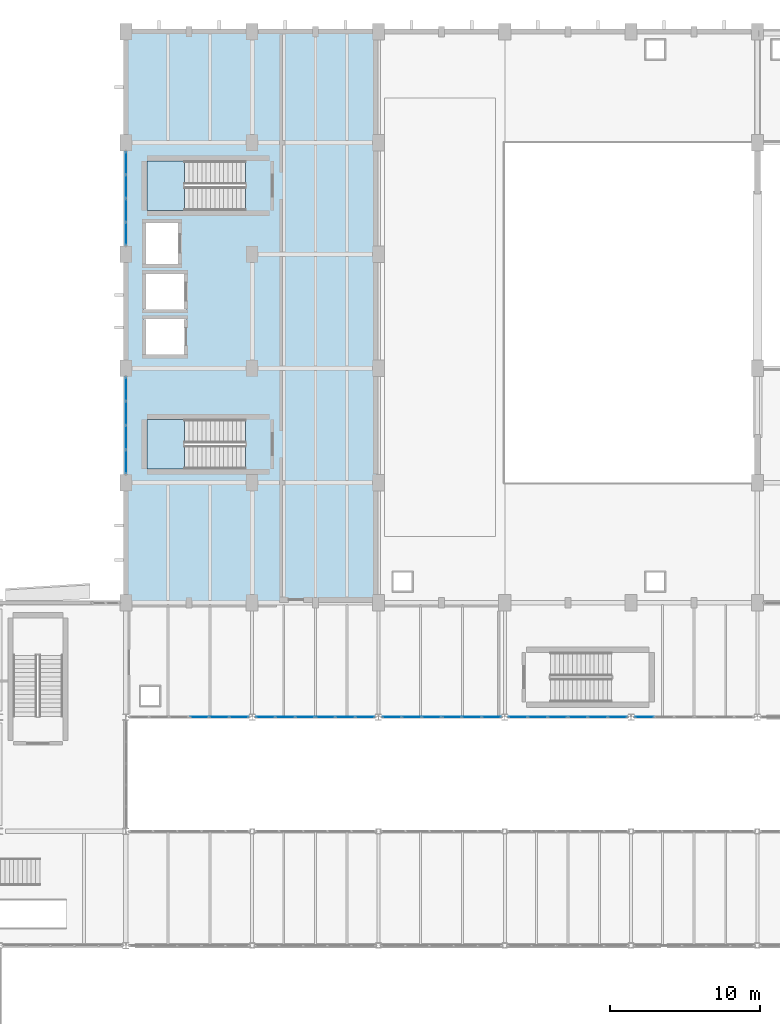
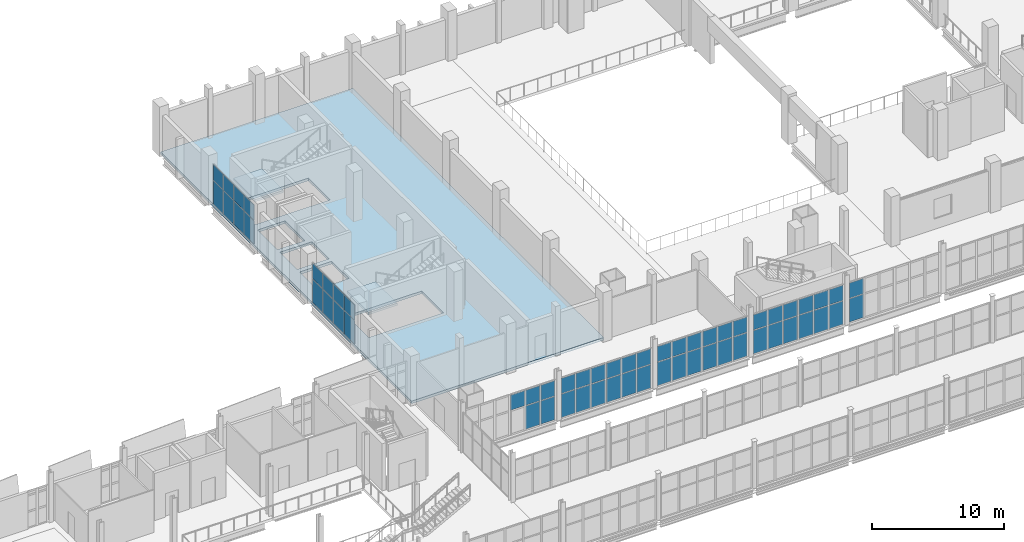
# One storey, part 134 of 172: 59 plates, 3 slabs, 12 elements without a shape of their own.
"""IFC4 building model written with IfcOpenShell, lengths in metres."""

from ifc_helpers import new_model, si_unit, direction, frame, origin, origin_2d, place, context, subcontext, project, spatial, polyline, rectangle, outline, extrude, material, layer, layer_set, type_object, element, aggregate, save


model = new_model("IFC4")

# Units and contexts
model_context = context("Model", 3, precision=1e-05, world=origin(), true_north=direction((0.0, 1.0)))
body_context = subcontext(model_context, "Body", "Model", "MODEL_VIEW")
ifc_project = project(units=[si_unit("LENGTHUNIT", "METRE"), si_unit("AREAUNIT", "SQUARE_METRE"), si_unit("VOLUMEUNIT", "CUBIC_METRE"), si_unit("PLANEANGLEUNIT", "RADIAN"), si_unit("MASSUNIT", "GRAM", prefix="KILO")], contexts=[model_context])

# Site, building, storey
site_placement = place(None, origin())
site = spatial("IfcSite", under=ifc_project, at=site_placement, CompositionType="ELEMENT")
building_placement = place(site_placement, origin())
building = spatial("IfcBuilding", under=site, at=building_placement, Name="Shengluoqiao Park Theatre", CompositionType="ELEMENT")
storey_placement = place(building_placement, frame((0.0, 0.0, 5.39990234375)))
storey = spatial("IfcBuildingStorey", under=building, at=storey_placement, Name="L01", CompositionType="ELEMENT", Elevation=5.39990234375)

# Curtain wall, plates
ifc_material_1 = material(Name="Aluminium 6063-T6", Category="aluminium")
curtain_wall_type_1 = type_object("IfcCurtainWallType", Name="ENV-CW-PROM", PredefinedType="NOTDEFINED", material=ifc_material_1)
curtain_wall_1_placement = place(storey_placement, origin())
curtain_wall_1 = element("IfcCurtainWall", 1, at=curtain_wall_1_placement, inside=storey, type_object=curtain_wall_type_1, Name="L01 Curtain Wall CW-L01-0052", PredefinedType="NOTDEFINED")
ifc_material_2 = material(Name="Insulated glass", Category="glass")
ifc_layer_1 = layer(ifc_material_2, 0.0380859375, Name="Insulated glass")
ifc_layer_set_1 = layer_set([ifc_layer_1], Name="Insulated glass")
plate_type_1 = type_object("IfcPlateType", Name="ENV-GLZ-GL-38", PredefinedType="CURTAIN_PANEL", material=ifc_layer_set_1)
plate_1_placement = place(storey_placement, frame((49.2822265625, 68.39990234375, 2.277587890625), z_axis=(0.0, 0.0, 1.0), x_axis=(1.0, 0.0, 0.0)))
plate_1 = element("IfcPlate", 2, at=plate_1_placement, type_object=plate_type_1, Name="CW-04 panel 1.2", PredefinedType="CURTAIN_PANEL", context=body_context, shape_type="SweptSolid", body=[
    extrude(rectangle(XDim=1.234619140625, YDim=0.0380859375, at=origin_2d()), origin(), (0.0, 0.0, 1.0), 1.3994140625),
])
plate_2_placement = place(storey_placement, frame((50.597900390625, 68.39990234375, 0.065185546875), z_axis=(0.0, 0.0, 1.0), x_axis=(1.0, 0.0, 0.0)))
plate_2 = element("IfcPlate", 3, at=plate_2_placement, type_object=plate_type_1, Name="CW-04 panel 2.1", PredefinedType="CURTAIN_PANEL", context=body_context, shape_type="SweptSolid", body=[
    extrude(rectangle(XDim=1.26708984375, YDim=0.0380859375, at=origin_2d()), origin(), (0.0, 0.0, 1.0), 2.1474609375),
])
plate_3_placement = place(storey_placement, frame((50.597900390625, 68.39990234375, 2.277587890625), z_axis=(0.0, 0.0, 1.0), x_axis=(1.0, 0.0, 0.0)))
plate_3 = element("IfcPlate", 4, at=plate_3_placement, type_object=plate_type_1, Name="CW-04 panel 2.2", PredefinedType="CURTAIN_PANEL", context=body_context, shape_type="SweptSolid", body=[
    extrude(rectangle(XDim=1.26708984375, YDim=0.0380859375, at=origin_2d()), origin(), (0.0, 0.0, 1.0), 1.3994140625),
])
plate_4_placement = place(storey_placement, frame((51.913818359375, 68.39990234375, 0.065185546875), z_axis=(0.0, 0.0, 1.0), x_axis=(1.0, 0.0, 0.0)))
plate_4 = element("IfcPlate", 5, at=plate_4_placement, type_object=plate_type_1, Name="CW-04 panel 3.1", PredefinedType="CURTAIN_PANEL", context=body_context, shape_type="SweptSolid", body=[
    extrude(rectangle(XDim=1.234619140625, YDim=0.0380859375, at=origin_2d()), origin(), (0.0, 0.0, 1.0), 2.1474609375),
])
plate_5_placement = place(storey_placement, frame((51.913818359375, 68.39990234375, 2.277587890625), z_axis=(0.0, 0.0, 1.0), x_axis=(1.0, 0.0, 0.0)))
plate_5 = element("IfcPlate", 6, at=plate_5_placement, type_object=plate_type_1, Name="CW-04 panel 3.2", PredefinedType="CURTAIN_PANEL", context=body_context, shape_type="SweptSolid", body=[
    extrude(rectangle(XDim=1.234619140625, YDim=0.0380859375, at=origin_2d()), origin(), (0.0, 0.0, 1.0), 1.3994140625),
])
aggregate(curtain_wall_1, [plate_1, plate_2, plate_3, plate_4, plate_5])

curtain_wall_2_placement = place(storey_placement, origin())
curtain_wall_2 = element("IfcCurtainWall", 7, at=curtain_wall_2_placement, inside=storey, type_object=curtain_wall_type_1, Name="L01 Curtain Wall CW-L01-0053", PredefinedType="NOTDEFINED")
plate_6_placement = place(storey_placement, frame((53.686279296875, 68.39990234375, 0.065185546875), z_axis=(0.0, 0.0, 1.0), x_axis=(1.0, 0.0, 0.0)))
plate_6 = element("IfcPlate", 8, at=plate_6_placement, type_object=plate_type_1, Name="CW-04 panel 1.1", PredefinedType="CURTAIN_PANEL", context=body_context, shape_type="SweptSolid", body=[
    extrude(rectangle(XDim=1.234619140625, YDim=0.0380859375, at=origin_2d()), origin(), (0.0, 0.0, 1.0), 2.1474609375),
])
plate_7_placement = place(storey_placement, frame((53.686279296875, 68.39990234375, 2.277587890625), z_axis=(0.0, 0.0, 1.0), x_axis=(1.0, 0.0, 0.0)))
plate_7 = element("IfcPlate", 9, at=plate_7_placement, type_object=plate_type_1, Name="CW-04 panel 1.2", PredefinedType="CURTAIN_PANEL", context=body_context, shape_type="SweptSolid", body=[
    extrude(rectangle(XDim=1.234619140625, YDim=0.0380859375, at=origin_2d()), origin(), (0.0, 0.0, 1.0), 1.3994140625),
])
plate_8_placement = place(storey_placement, frame((55.001953125, 68.39990234375, 0.065185546875), z_axis=(0.0, 0.0, 1.0), x_axis=(1.0, 0.0, 0.0)))
plate_8 = element("IfcPlate", 10, at=plate_8_placement, type_object=plate_type_1, Name="CW-04 panel 2.1", PredefinedType="CURTAIN_PANEL", context=body_context, shape_type="SweptSolid", body=[
    extrude(rectangle(XDim=1.26708984375, YDim=0.0380859375, at=origin_2d()), origin(), (0.0, 0.0, 1.0), 2.1474609375),
])
plate_9_placement = place(storey_placement, frame((55.001953125, 68.39990234375, 2.277587890625), z_axis=(0.0, 0.0, 1.0), x_axis=(1.0, 0.0, 0.0)))
plate_9 = element("IfcPlate", 11, at=plate_9_placement, type_object=plate_type_1, Name="CW-04 panel 2.2", PredefinedType="CURTAIN_PANEL", context=body_context, shape_type="SweptSolid", body=[
    extrude(rectangle(XDim=1.26708984375, YDim=0.0380859375, at=origin_2d()), origin(), (0.0, 0.0, 1.0), 1.3994140625),
])
plate_10_placement = place(storey_placement, frame((56.31787109375, 68.39990234375, 0.065185546875), z_axis=(0.0, 0.0, 1.0), x_axis=(1.0, 0.0, 0.0)))
plate_10 = element("IfcPlate", 12, at=plate_10_placement, type_object=plate_type_1, Name="CW-04 panel 3.1", PredefinedType="CURTAIN_PANEL", context=body_context, shape_type="SweptSolid", body=[
    extrude(rectangle(XDim=1.234619140625, YDim=0.0380859375, at=origin_2d()), origin(), (0.0, 0.0, 1.0), 2.1474609375),
])
plate_11_placement = place(storey_placement, frame((56.31787109375, 68.39990234375, 2.277587890625), z_axis=(0.0, 0.0, 1.0), x_axis=(1.0, 0.0, 0.0)))
plate_11 = element("IfcPlate", 13, at=plate_11_placement, type_object=plate_type_1, Name="CW-04 panel 3.2", PredefinedType="CURTAIN_PANEL", context=body_context, shape_type="SweptSolid", body=[
    extrude(rectangle(XDim=1.234619140625, YDim=0.0380859375, at=origin_2d()), origin(), (0.0, 0.0, 1.0), 1.3994140625),
])
aggregate(curtain_wall_2, [plate_6, plate_7, plate_8, plate_9, plate_10, plate_11])

curtain_wall_3_placement = place(storey_placement, origin())
curtain_wall_3 = element("IfcCurtainWall", 14, at=curtain_wall_3_placement, inside=storey, type_object=curtain_wall_type_1, Name="L01 Curtain Wall CW-L01-0054", PredefinedType="NOTDEFINED")
plate_12_placement = place(storey_placement, frame((57.68212890625, 68.39990234375, 0.065185546875), z_axis=(0.0, 0.0, 1.0), x_axis=(1.0, 0.0, 0.0)))
plate_12 = element("IfcPlate", 15, at=plate_12_placement, type_object=plate_type_1, Name="CW-04 panel 1.1", PredefinedType="CURTAIN_PANEL", context=body_context, shape_type="SweptSolid", body=[
    extrude(rectangle(XDim=1.234619140625, YDim=0.0380859375, at=origin_2d()), origin(), (0.0, 0.0, 1.0), 2.1474609375),
])
plate_13_placement = place(storey_placement, frame((57.68212890625, 68.39990234375, 2.277587890625), z_axis=(0.0, 0.0, 1.0), x_axis=(1.0, 0.0, 0.0)))
plate_13 = element("IfcPlate", 16, at=plate_13_placement, type_object=plate_type_1, Name="CW-04 panel 1.2", PredefinedType="CURTAIN_PANEL", context=body_context, shape_type="SweptSolid", body=[
    extrude(rectangle(XDim=1.234619140625, YDim=0.0380859375, at=origin_2d()), origin(), (0.0, 0.0, 1.0), 1.3994140625),
])
plate_14_placement = place(storey_placement, frame((58.998046875, 68.39990234375, 0.065185546875), z_axis=(0.0, 0.0, 1.0), x_axis=(1.0, 0.0, 0.0)))
plate_14 = element("IfcPlate", 17, at=plate_14_placement, type_object=plate_type_1, Name="CW-04 panel 2.1", PredefinedType="CURTAIN_PANEL", context=body_context, shape_type="SweptSolid", body=[
    extrude(rectangle(XDim=1.26708984375, YDim=0.0380859375, at=origin_2d()), origin(), (0.0, 0.0, 1.0), 2.1474609375),
])
plate_15_placement = place(storey_placement, frame((58.998046875, 68.39990234375, 2.277587890625), z_axis=(0.0, 0.0, 1.0), x_axis=(1.0, 0.0, 0.0)))
plate_15 = element("IfcPlate", 18, at=plate_15_placement, type_object=plate_type_1, Name="CW-04 panel 2.2", PredefinedType="CURTAIN_PANEL", context=body_context, shape_type="SweptSolid", body=[
    extrude(rectangle(XDim=1.26708984375, YDim=0.0380859375, at=origin_2d()), origin(), (0.0, 0.0, 1.0), 1.3994140625),
])
plate_16_placement = place(storey_placement, frame((60.313720703125, 68.39990234375, 0.065185546875), z_axis=(0.0, 0.0, 1.0), x_axis=(1.0, 0.0, 0.0)))
plate_16 = element("IfcPlate", 19, at=plate_16_placement, type_object=plate_type_1, Name="CW-04 panel 3.1", PredefinedType="CURTAIN_PANEL", context=body_context, shape_type="SweptSolid", body=[
    extrude(rectangle(XDim=1.234619140625, YDim=0.0380859375, at=origin_2d()), origin(), (0.0, 0.0, 1.0), 2.1474609375),
])
plate_17_placement = place(storey_placement, frame((60.313720703125, 68.39990234375, 2.277587890625), z_axis=(0.0, 0.0, 1.0), x_axis=(1.0, 0.0, 0.0)))
plate_17 = element("IfcPlate", 20, at=plate_17_placement, type_object=plate_type_1, Name="CW-04 panel 3.2", PredefinedType="CURTAIN_PANEL", context=body_context, shape_type="SweptSolid", body=[
    extrude(rectangle(XDim=1.234619140625, YDim=0.0380859375, at=origin_2d()), origin(), (0.0, 0.0, 1.0), 1.3994140625),
])
aggregate(curtain_wall_3, [plate_12, plate_13, plate_14, plate_15, plate_16, plate_17])

curtain_wall_4_placement = place(storey_placement, origin())
curtain_wall_4 = element("IfcCurtainWall", 21, at=curtain_wall_4_placement, inside=storey, type_object=curtain_wall_type_1, Name="L01 Curtain Wall CW-L01-0055", PredefinedType="NOTDEFINED")
plate_18_placement = place(storey_placement, frame((62.086181640625, 68.39990234375, 0.065185546875), z_axis=(0.0, 0.0, 1.0), x_axis=(1.0, 0.0, 0.0)))
plate_18 = element("IfcPlate", 22, at=plate_18_placement, type_object=plate_type_1, Name="CW-04 panel 1.1", PredefinedType="CURTAIN_PANEL", context=body_context, shape_type="SweptSolid", body=[
    extrude(rectangle(XDim=1.234619140625, YDim=0.0380859375, at=origin_2d()), origin(), (0.0, 0.0, 1.0), 2.1474609375),
])
plate_19_placement = place(storey_placement, frame((62.086181640625, 68.39990234375, 2.277587890625), z_axis=(0.0, 0.0, 1.0), x_axis=(1.0, 0.0, 0.0)))
plate_19 = element("IfcPlate", 23, at=plate_19_placement, type_object=plate_type_1, Name="CW-04 panel 1.2", PredefinedType="CURTAIN_PANEL", context=body_context, shape_type="SweptSolid", body=[
    extrude(rectangle(XDim=1.234619140625, YDim=0.0380859375, at=origin_2d()), origin(), (0.0, 0.0, 1.0), 1.3994140625),
])
plate_20_placement = place(storey_placement, frame((63.402099609375, 68.39990234375, 0.065185546875), z_axis=(0.0, 0.0, 1.0), x_axis=(1.0, 0.0, 0.0)))
plate_20 = element("IfcPlate", 24, at=plate_20_placement, type_object=plate_type_1, Name="CW-04 panel 2.1", PredefinedType="CURTAIN_PANEL", context=body_context, shape_type="SweptSolid", body=[
    extrude(rectangle(XDim=1.26708984375, YDim=0.0380859375, at=origin_2d()), origin(), (0.0, 0.0, 1.0), 2.1474609375),
])
plate_21_placement = place(storey_placement, frame((63.402099609375, 68.39990234375, 2.277587890625), z_axis=(0.0, 0.0, 1.0), x_axis=(1.0, 0.0, 0.0)))
plate_21 = element("IfcPlate", 25, at=plate_21_placement, type_object=plate_type_1, Name="CW-04 panel 2.2", PredefinedType="CURTAIN_PANEL", context=body_context, shape_type="SweptSolid", body=[
    extrude(rectangle(XDim=1.26708984375, YDim=0.0380859375, at=origin_2d()), origin(), (0.0, 0.0, 1.0), 1.3994140625),
])
plate_22_placement = place(storey_placement, frame((64.7177734375, 68.39990234375, 0.065185546875), z_axis=(0.0, 0.0, 1.0), x_axis=(1.0, 0.0, 0.0)))
plate_22 = element("IfcPlate", 26, at=plate_22_placement, type_object=plate_type_1, Name="CW-04 panel 3.1", PredefinedType="CURTAIN_PANEL", context=body_context, shape_type="SweptSolid", body=[
    extrude(rectangle(XDim=1.234619140625, YDim=0.0380859375, at=origin_2d()), origin(), (0.0, 0.0, 1.0), 2.1474609375),
])
plate_23_placement = place(storey_placement, frame((64.7177734375, 68.39990234375, 2.277587890625), z_axis=(0.0, 0.0, 1.0), x_axis=(1.0, 0.0, 0.0)))
plate_23 = element("IfcPlate", 27, at=plate_23_placement, type_object=plate_type_1, Name="CW-04 panel 3.2", PredefinedType="CURTAIN_PANEL", context=body_context, shape_type="SweptSolid", body=[
    extrude(rectangle(XDim=1.234619140625, YDim=0.0380859375, at=origin_2d()), origin(), (0.0, 0.0, 1.0), 1.3994140625),
])
aggregate(curtain_wall_4, [plate_18, plate_19, plate_20, plate_21, plate_22, plate_23])

curtain_wall_5_placement = place(storey_placement, origin())
curtain_wall_5 = element("IfcCurtainWall", 28, at=curtain_wall_5_placement, inside=storey, type_object=curtain_wall_type_1, Name="L01 Curtain Wall CW-L01-0056", PredefinedType="NOTDEFINED")
plate_24_placement = place(storey_placement, frame((66.082275390625, 68.39990234375, 0.065185546875), z_axis=(0.0, 0.0, 1.0), x_axis=(1.0, 0.0, 0.0)))
plate_24 = element("IfcPlate", 29, at=plate_24_placement, type_object=plate_type_1, Name="CW-04 panel 1.1", PredefinedType="CURTAIN_PANEL", context=body_context, shape_type="SweptSolid", body=[
    extrude(rectangle(XDim=1.234619140625, YDim=0.0380859375, at=origin_2d()), origin(), (0.0, 0.0, 1.0), 2.1474609375),
])
plate_25_placement = place(storey_placement, frame((66.082275390625, 68.39990234375, 2.277587890625), z_axis=(0.0, 0.0, 1.0), x_axis=(1.0, 0.0, 0.0)))
plate_25 = element("IfcPlate", 30, at=plate_25_placement, type_object=plate_type_1, Name="CW-04 panel 1.2", PredefinedType="CURTAIN_PANEL", context=body_context, shape_type="SweptSolid", body=[
    extrude(rectangle(XDim=1.234619140625, YDim=0.0380859375, at=origin_2d()), origin(), (0.0, 0.0, 1.0), 1.3994140625),
])
plate_26_placement = place(storey_placement, frame((67.39794921875, 68.39990234375, 0.065185546875), z_axis=(0.0, 0.0, 1.0), x_axis=(1.0, 0.0, 0.0)))
plate_26 = element("IfcPlate", 31, at=plate_26_placement, type_object=plate_type_1, Name="CW-04 panel 2.1", PredefinedType="CURTAIN_PANEL", context=body_context, shape_type="SweptSolid", body=[
    extrude(rectangle(XDim=1.26708984375, YDim=0.0380859375, at=origin_2d()), origin(), (0.0, 0.0, 1.0), 2.1474609375),
])
plate_27_placement = place(storey_placement, frame((67.39794921875, 68.39990234375, 2.277587890625), z_axis=(0.0, 0.0, 1.0), x_axis=(1.0, 0.0, 0.0)))
plate_27 = element("IfcPlate", 32, at=plate_27_placement, type_object=plate_type_1, Name="CW-04 panel 2.2", PredefinedType="CURTAIN_PANEL", context=body_context, shape_type="SweptSolid", body=[
    extrude(rectangle(XDim=1.26708984375, YDim=0.0380859375, at=origin_2d()), origin(), (0.0, 0.0, 1.0), 1.3994140625),
])
plate_28_placement = place(storey_placement, frame((68.7138671875, 68.39990234375, 0.065185546875), z_axis=(0.0, 0.0, 1.0), x_axis=(1.0, 0.0, 0.0)))
plate_28 = element("IfcPlate", 33, at=plate_28_placement, type_object=plate_type_1, Name="CW-04 panel 3.1", PredefinedType="CURTAIN_PANEL", context=body_context, shape_type="SweptSolid", body=[
    extrude(rectangle(XDim=1.234619140625, YDim=0.0380859375, at=origin_2d()), origin(), (0.0, 0.0, 1.0), 2.1474609375),
])
plate_29_placement = place(storey_placement, frame((68.7138671875, 68.39990234375, 2.277587890625), z_axis=(0.0, 0.0, 1.0), x_axis=(1.0, 0.0, 0.0)))
plate_29 = element("IfcPlate", 34, at=plate_29_placement, type_object=plate_type_1, Name="CW-04 panel 3.2", PredefinedType="CURTAIN_PANEL", context=body_context, shape_type="SweptSolid", body=[
    extrude(rectangle(XDim=1.234619140625, YDim=0.0380859375, at=origin_2d()), origin(), (0.0, 0.0, 1.0), 1.3994140625),
])
aggregate(curtain_wall_5, [plate_24, plate_25, plate_26, plate_27, plate_28, plate_29])

curtain_wall_6_placement = place(storey_placement, origin())
curtain_wall_6 = element("IfcCurtainWall", 35, at=curtain_wall_6_placement, inside=storey, type_object=curtain_wall_type_1, Name="L01 Curtain Wall CW-L01-0057", PredefinedType="NOTDEFINED")
plate_30_placement = place(storey_placement, frame((70.486328125, 68.39990234375, 0.065185546875), z_axis=(0.0, 0.0, 1.0), x_axis=(1.0, 0.0, 0.0)))
plate_30 = element("IfcPlate", 36, at=plate_30_placement, type_object=plate_type_1, Name="CW-04 panel 1.1", PredefinedType="CURTAIN_PANEL", context=body_context, shape_type="SweptSolid", body=[
    extrude(rectangle(XDim=1.234619140625, YDim=0.0380859375, at=origin_2d()), origin(), (0.0, 0.0, 1.0), 2.1474609375),
])
plate_31_placement = place(storey_placement, frame((70.486328125, 68.39990234375, 2.277587890625), z_axis=(0.0, 0.0, 1.0), x_axis=(1.0, 0.0, 0.0)))
plate_31 = element("IfcPlate", 37, at=plate_31_placement, type_object=plate_type_1, Name="CW-04 panel 1.2", PredefinedType="CURTAIN_PANEL", context=body_context, shape_type="SweptSolid", body=[
    extrude(rectangle(XDim=1.234619140625, YDim=0.0380859375, at=origin_2d()), origin(), (0.0, 0.0, 1.0), 1.3994140625),
])
plate_32_placement = place(storey_placement, frame((71.802001953125, 68.39990234375, 0.065185546875), z_axis=(0.0, 0.0, 1.0), x_axis=(1.0, 0.0, 0.0)))
plate_32 = element("IfcPlate", 38, at=plate_32_placement, type_object=plate_type_1, Name="CW-04 panel 2.1", PredefinedType="CURTAIN_PANEL", context=body_context, shape_type="SweptSolid", body=[
    extrude(rectangle(XDim=1.26708984375, YDim=0.0380859375, at=origin_2d()), origin(), (0.0, 0.0, 1.0), 2.1474609375),
])
plate_33_placement = place(storey_placement, frame((71.802001953125, 68.39990234375, 2.277587890625), z_axis=(0.0, 0.0, 1.0), x_axis=(1.0, 0.0, 0.0)))
plate_33 = element("IfcPlate", 39, at=plate_33_placement, type_object=plate_type_1, Name="CW-04 panel 2.2", PredefinedType="CURTAIN_PANEL", context=body_context, shape_type="SweptSolid", body=[
    extrude(rectangle(XDim=1.26708984375, YDim=0.0380859375, at=origin_2d()), origin(), (0.0, 0.0, 1.0), 1.3994140625),
])
plate_34_placement = place(storey_placement, frame((73.11767578125, 68.39990234375, 0.065185546875), z_axis=(0.0, 0.0, 1.0), x_axis=(1.0, 0.0, 0.0)))
plate_34 = element("IfcPlate", 40, at=plate_34_placement, type_object=plate_type_1, Name="CW-04 panel 3.1", PredefinedType="CURTAIN_PANEL", context=body_context, shape_type="SweptSolid", body=[
    extrude(rectangle(XDim=1.234619140625, YDim=0.0380859375, at=origin_2d()), origin(), (0.0, 0.0, 1.0), 2.1474609375),
])
plate_35_placement = place(storey_placement, frame((73.11767578125, 68.39990234375, 2.277587890625), z_axis=(0.0, 0.0, 1.0), x_axis=(1.0, 0.0, 0.0)))
plate_35 = element("IfcPlate", 41, at=plate_35_placement, type_object=plate_type_1, Name="CW-04 panel 3.2", PredefinedType="CURTAIN_PANEL", context=body_context, shape_type="SweptSolid", body=[
    extrude(rectangle(XDim=1.234619140625, YDim=0.0380859375, at=origin_2d()), origin(), (0.0, 0.0, 1.0), 1.3994140625),
])
aggregate(curtain_wall_6, [plate_30, plate_31, plate_32, plate_33, plate_34, plate_35])

curtain_wall_7_placement = place(storey_placement, origin())
curtain_wall_7 = element("IfcCurtainWall", 42, at=curtain_wall_7_placement, inside=storey, type_object=curtain_wall_type_1, Name="L01 Curtain Wall CW-L01-0058", PredefinedType="NOTDEFINED")
plate_36_placement = place(storey_placement, frame((74.482177734375, 68.39990234375, 0.065185546875), z_axis=(0.0, 0.0, 1.0), x_axis=(1.0, 0.0, 0.0)))
plate_36 = element("IfcPlate", 43, at=plate_36_placement, type_object=plate_type_1, Name="CW-04 panel 1.1", PredefinedType="CURTAIN_PANEL", context=body_context, shape_type="SweptSolid", body=[
    extrude(rectangle(XDim=1.234619140625, YDim=0.0380859375, at=origin_2d()), origin(), (0.0, 0.0, 1.0), 2.1474609375),
])
plate_37_placement = place(storey_placement, frame((74.482177734375, 68.39990234375, 2.277587890625), z_axis=(0.0, 0.0, 1.0), x_axis=(1.0, 0.0, 0.0)))
plate_37 = element("IfcPlate", 44, at=plate_37_placement, type_object=plate_type_1, Name="CW-04 panel 1.2", PredefinedType="CURTAIN_PANEL", context=body_context, shape_type="SweptSolid", body=[
    extrude(rectangle(XDim=1.234619140625, YDim=0.0380859375, at=origin_2d()), origin(), (0.0, 0.0, 1.0), 1.3994140625),
])
plate_38_placement = place(storey_placement, frame((75.798095703125, 68.39990234375, 0.065185546875), z_axis=(0.0, 0.0, 1.0), x_axis=(1.0, 0.0, 0.0)))
plate_38 = element("IfcPlate", 45, at=plate_38_placement, type_object=plate_type_1, Name="CW-04 panel 2.1", PredefinedType="CURTAIN_PANEL", context=body_context, shape_type="SweptSolid", body=[
    extrude(rectangle(XDim=1.26708984375, YDim=0.0380859375, at=origin_2d()), origin(), (0.0, 0.0, 1.0), 2.1474609375),
])
plate_39_placement = place(storey_placement, frame((75.798095703125, 68.39990234375, 2.277587890625), z_axis=(0.0, 0.0, 1.0), x_axis=(1.0, 0.0, 0.0)))
plate_39 = element("IfcPlate", 46, at=plate_39_placement, type_object=plate_type_1, Name="CW-04 panel 2.2", PredefinedType="CURTAIN_PANEL", context=body_context, shape_type="SweptSolid", body=[
    extrude(rectangle(XDim=1.26708984375, YDim=0.0380859375, at=origin_2d()), origin(), (0.0, 0.0, 1.0), 1.3994140625),
])
plate_40_placement = place(storey_placement, frame((77.11376953125, 68.39990234375, 0.065185546875), z_axis=(0.0, 0.0, 1.0), x_axis=(1.0, 0.0, 0.0)))
plate_40 = element("IfcPlate", 47, at=plate_40_placement, type_object=plate_type_1, Name="CW-04 panel 3.1", PredefinedType="CURTAIN_PANEL", context=body_context, shape_type="SweptSolid", body=[
    extrude(rectangle(XDim=1.234619140625, YDim=0.0380859375, at=origin_2d()), origin(), (0.0, 0.0, 1.0), 2.1474609375),
])
plate_41_placement = place(storey_placement, frame((77.11376953125, 68.39990234375, 2.277587890625), z_axis=(0.0, 0.0, 1.0), x_axis=(1.0, 0.0, 0.0)))
plate_41 = element("IfcPlate", 48, at=plate_41_placement, type_object=plate_type_1, Name="CW-04 panel 3.2", PredefinedType="CURTAIN_PANEL", context=body_context, shape_type="SweptSolid", body=[
    extrude(rectangle(XDim=1.234619140625, YDim=0.0380859375, at=origin_2d()), origin(), (0.0, 0.0, 1.0), 1.3994140625),
])
aggregate(curtain_wall_7, [plate_36, plate_37, plate_38, plate_39, plate_40, plate_41])

curtain_wall_8_placement = place(storey_placement, origin())
curtain_wall_8 = element("IfcCurtainWall", 49, at=curtain_wall_8_placement, inside=storey, type_object=curtain_wall_type_1, Name="L01 Curtain Wall CW-L01-0059", PredefinedType="NOTDEFINED")
plate_42_placement = place(storey_placement, frame((78.88623046875, 68.39990234375, 0.065185546875), z_axis=(0.0, 0.0, 1.0), x_axis=(1.0, 0.0, 0.0)))
plate_42 = element("IfcPlate", 50, at=plate_42_placement, type_object=plate_type_1, Name="CW-04 panel 1.1", PredefinedType="CURTAIN_PANEL", context=body_context, shape_type="SweptSolid", body=[
    extrude(rectangle(XDim=1.234619140625, YDim=0.0380859375, at=origin_2d()), origin(), (0.0, 0.0, 1.0), 2.1474609375),
])
plate_43_placement = place(storey_placement, frame((78.88623046875, 68.39990234375, 2.277587890625), z_axis=(0.0, 0.0, 1.0), x_axis=(1.0, 0.0, 0.0)))
plate_43 = element("IfcPlate", 51, at=plate_43_placement, type_object=plate_type_1, Name="CW-04 panel 1.2", PredefinedType="CURTAIN_PANEL", context=body_context, shape_type="SweptSolid", body=[
    extrude(rectangle(XDim=1.234619140625, YDim=0.0380859375, at=origin_2d()), origin(), (0.0, 0.0, 1.0), 1.3994140625),
])
aggregate(curtain_wall_8, [plate_42, plate_43])

curtain_wall_type_2 = type_object("IfcCurtainWallType", Name="ENV-CW-CLERE", PredefinedType="NOTDEFINED", material=ifc_material_1)
curtain_wall_9_placement = place(storey_placement, origin())
curtain_wall_9 = element("IfcCurtainWall", 52, at=curtain_wall_9_placement, inside=storey, type_object=curtain_wall_type_2, Name="L01 Curtain Wall CW-L01-0003", PredefinedType="NOTDEFINED")
ifc_layer_2 = layer(ifc_material_2, 0.048095703125, Name="Insulated glass")
ifc_layer_set_2 = layer_set([ifc_layer_2], Name="Insulated glass")
plate_type_2 = type_object("IfcPlateType", Name="ENV-GLZ-GL-48", PredefinedType="CURTAIN_PANEL", material=ifc_layer_set_2)
plate_44_placement = place(storey_placement, frame((44.39990234375, 85.3818359375, 0.06494140625), z_axis=(0.0, 0.0, 1.0), x_axis=(0.0, 1.0, 0.0)))
plate_44 = element("IfcPlate", 53, at=plate_44_placement, type_object=plate_type_2, Name="CW-06 panel 1.1", PredefinedType="CURTAIN_PANEL", context=body_context, shape_type="SweptSolid", body=[
    extrude(rectangle(XDim=1.525390625, YDim=0.048095703125, at=origin_2d()), origin(), (0.0, 0.0, 1.0), 2.152587890625),
])
plate_45_placement = place(storey_placement, frame((44.39990234375, 85.3818359375, 2.28271484375), z_axis=(0.0, 0.0, 1.0), x_axis=(0.0, 1.0, 0.0)))
plate_45 = element("IfcPlate", 54, at=plate_45_placement, type_object=plate_type_2, Name="CW-06 panel 1.2", PredefinedType="CURTAIN_PANEL", context=body_context, shape_type="SweptSolid", body=[
    extrude(rectangle(XDim=1.525390625, YDim=0.048095703125, at=origin_2d()), origin(), (0.0, 0.0, 1.0), 1.402587890625),
])
plate_46_placement = place(storey_placement, frame((44.39990234375, 86.988525390625, 0.06494140625), z_axis=(0.0, 0.0, 1.0), x_axis=(0.0, 1.0, 0.0)))
plate_46 = element("IfcPlate", 55, at=plate_46_placement, type_object=plate_type_2, Name="CW-06 panel 2.1", PredefinedType="CURTAIN_PANEL", context=body_context, shape_type="SweptSolid", body=[
    extrude(rectangle(XDim=1.55810546875, YDim=0.048095703125, at=origin_2d()), origin(), (0.0, 0.0, 1.0), 2.152587890625),
])
plate_47_placement = place(storey_placement, frame((44.39990234375, 86.988525390625, 2.28271484375), z_axis=(0.0, 0.0, 1.0), x_axis=(0.0, 1.0, 0.0)))
plate_47 = element("IfcPlate", 56, at=plate_47_placement, type_object=plate_type_2, Name="CW-06 panel 2.2", PredefinedType="CURTAIN_PANEL", context=body_context, shape_type="SweptSolid", body=[
    extrude(rectangle(XDim=1.55810546875, YDim=0.048095703125, at=origin_2d()), origin(), (0.0, 0.0, 1.0), 1.402587890625),
])
plate_48_placement = place(storey_placement, frame((44.39990234375, 88.611572265625, 0.06494140625), z_axis=(0.0, 0.0, 1.0), x_axis=(0.0, 1.0, 0.0)))
plate_48 = element("IfcPlate", 57, at=plate_48_placement, type_object=plate_type_2, Name="CW-06 panel 3.1", PredefinedType="CURTAIN_PANEL", context=body_context, shape_type="SweptSolid", body=[
    extrude(rectangle(XDim=1.55810546875, YDim=0.048095703125, at=origin_2d()), origin(), (0.0, 0.0, 1.0), 2.152587890625),
])
plate_49_placement = place(storey_placement, frame((44.39990234375, 88.611572265625, 2.28271484375), z_axis=(0.0, 0.0, 1.0), x_axis=(0.0, 1.0, 0.0)))
plate_49 = element("IfcPlate", 58, at=plate_49_placement, type_object=plate_type_2, Name="CW-06 panel 3.2", PredefinedType="CURTAIN_PANEL", context=body_context, shape_type="SweptSolid", body=[
    extrude(rectangle(XDim=1.55810546875, YDim=0.048095703125, at=origin_2d()), origin(), (0.0, 0.0, 1.0), 1.402587890625),
])
plate_50_placement = place(storey_placement, frame((44.39990234375, 90.21826171875, 0.06494140625), z_axis=(0.0, 0.0, 1.0), x_axis=(0.0, 1.0, 0.0)))
plate_50 = element("IfcPlate", 59, at=plate_50_placement, type_object=plate_type_2, Name="CW-06 panel 4.1", PredefinedType="CURTAIN_PANEL", context=body_context, shape_type="SweptSolid", body=[
    extrude(rectangle(XDim=1.525390625, YDim=0.048095703125, at=origin_2d()), origin(), (0.0, 0.0, 1.0), 2.152587890625),
])
plate_51_placement = place(storey_placement, frame((44.39990234375, 90.21826171875, 2.28271484375), z_axis=(0.0, 0.0, 1.0), x_axis=(0.0, 1.0, 0.0)))
plate_51 = element("IfcPlate", 60, at=plate_51_placement, type_object=plate_type_2, Name="CW-06 panel 4.2", PredefinedType="CURTAIN_PANEL", context=body_context, shape_type="SweptSolid", body=[
    extrude(rectangle(XDim=1.525390625, YDim=0.048095703125, at=origin_2d()), origin(), (0.0, 0.0, 1.0), 1.402587890625),
])
aggregate(curtain_wall_9, [plate_44, plate_45, plate_46, plate_47, plate_48, plate_49, plate_50, plate_51])

curtain_wall_10_placement = place(storey_placement, origin())
curtain_wall_10 = element("IfcCurtainWall", 61, at=curtain_wall_10_placement, inside=storey, type_object=curtain_wall_type_2, Name="L01 Curtain Wall CW-L01-0004", PredefinedType="NOTDEFINED")
plate_52_placement = place(storey_placement, frame((44.39990234375, 100.556640625, 0.06494140625), z_axis=(0.0, 0.0, 1.0), x_axis=(0.0, 1.0, 0.0)))
plate_52 = element("IfcPlate", 62, at=plate_52_placement, type_object=plate_type_2, Name="CW-06 panel 1.1", PredefinedType="CURTAIN_PANEL", context=body_context, shape_type="SweptSolid", body=[
    extrude(rectangle(XDim=1.4755859375, YDim=0.048095703125, at=origin_2d()), origin(), (0.0, 0.0, 1.0), 2.152587890625),
])
plate_53_placement = place(storey_placement, frame((44.39990234375, 100.556640625, 2.28271484375), z_axis=(0.0, 0.0, 1.0), x_axis=(0.0, 1.0, 0.0)))
plate_53 = element("IfcPlate", 63, at=plate_53_placement, type_object=plate_type_2, Name="CW-06 panel 1.2", PredefinedType="CURTAIN_PANEL", context=body_context, shape_type="SweptSolid", body=[
    extrude(rectangle(XDim=1.4755859375, YDim=0.048095703125, at=origin_2d()), origin(), (0.0, 0.0, 1.0), 1.402587890625),
])
plate_54_placement = place(storey_placement, frame((44.39990234375, 102.113525390625, 0.06494140625), z_axis=(0.0, 0.0, 1.0), x_axis=(0.0, 1.0, 0.0)))
plate_54 = element("IfcPlate", 64, at=plate_54_placement, type_object=plate_type_2, Name="CW-06 panel 2.1", PredefinedType="CURTAIN_PANEL", context=body_context, shape_type="SweptSolid", body=[
    extrude(rectangle(XDim=1.508056640625, YDim=0.048095703125, at=origin_2d()), origin(), (0.0, 0.0, 1.0), 2.152587890625),
])
plate_55_placement = place(storey_placement, frame((44.39990234375, 102.113525390625, 2.28271484375), z_axis=(0.0, 0.0, 1.0), x_axis=(0.0, 1.0, 0.0)))
plate_55 = element("IfcPlate", 65, at=plate_55_placement, type_object=plate_type_2, Name="CW-06 panel 2.2", PredefinedType="CURTAIN_PANEL", context=body_context, shape_type="SweptSolid", body=[
    extrude(rectangle(XDim=1.508056640625, YDim=0.048095703125, at=origin_2d()), origin(), (0.0, 0.0, 1.0), 1.402587890625),
])
plate_56_placement = place(storey_placement, frame((44.39990234375, 103.6865234375, 0.06494140625), z_axis=(0.0, 0.0, 1.0), x_axis=(0.0, 1.0, 0.0)))
plate_56 = element("IfcPlate", 66, at=plate_56_placement, type_object=plate_type_2, Name="CW-06 panel 3.1", PredefinedType="CURTAIN_PANEL", context=body_context, shape_type="SweptSolid", body=[
    extrude(rectangle(XDim=1.508056640625, YDim=0.048095703125, at=origin_2d()), origin(), (0.0, 0.0, 1.0), 2.152587890625),
])
plate_57_placement = place(storey_placement, frame((44.39990234375, 103.6865234375, 2.28271484375), z_axis=(0.0, 0.0, 1.0), x_axis=(0.0, 1.0, 0.0)))
plate_57 = element("IfcPlate", 67, at=plate_57_placement, type_object=plate_type_2, Name="CW-06 panel 3.2", PredefinedType="CURTAIN_PANEL", context=body_context, shape_type="SweptSolid", body=[
    extrude(rectangle(XDim=1.508056640625, YDim=0.048095703125, at=origin_2d()), origin(), (0.0, 0.0, 1.0), 1.402587890625),
])
plate_58_placement = place(storey_placement, frame((44.39990234375, 105.2431640625, 0.06494140625), z_axis=(0.0, 0.0, 1.0), x_axis=(0.0, 1.0, 0.0)))
plate_58 = element("IfcPlate", 68, at=plate_58_placement, type_object=plate_type_2, Name="CW-06 panel 4.1", PredefinedType="CURTAIN_PANEL", context=body_context, shape_type="SweptSolid", body=[
    extrude(rectangle(XDim=1.4755859375, YDim=0.048095703125, at=origin_2d()), origin(), (0.0, 0.0, 1.0), 2.152587890625),
])
plate_59_placement = place(storey_placement, frame((44.39990234375, 105.2431640625, 2.28271484375), z_axis=(0.0, 0.0, 1.0), x_axis=(0.0, 1.0, 0.0)))
plate_59 = element("IfcPlate", 69, at=plate_59_placement, type_object=plate_type_2, Name="CW-06 panel 4.2", PredefinedType="CURTAIN_PANEL", context=body_context, shape_type="SweptSolid", body=[
    extrude(rectangle(XDim=1.4755859375, YDim=0.048095703125, at=origin_2d()), origin(), (0.0, 0.0, 1.0), 1.402587890625),
])
aggregate(curtain_wall_10, [plate_52, plate_53, plate_54, plate_55, plate_56, plate_57, plate_58, plate_59])

# Stair, slab
ifc_material_3 = material(Name="Concrete C40", Category="concrete")
stair_type = type_object("IfcStairType", Name="INT-STR-CORE", PredefinedType="HALF_TURN_STAIR", material=ifc_material_3)
stair_1_placement = place(storey_placement, origin())
stair_1 = element("IfcStair", 70, at=stair_1_placement, inside=storey, type_object=stair_type, Name="L01 Auditorium South-West Escape Stair 02", PredefinedType="HALF_TURN_STAIR")
ifc_layer_3 = layer(ifc_material_3, 0.169921875, Name="Concrete C40")
ifc_layer_set_3 = layer_set([ifc_layer_3], Name="Concrete C40")
slab_type_1 = type_object("IfcSlabType", Name="INT-LND-SL-170", PredefinedType="LANDING", material=ifc_layer_set_3)
slab_1_placement = place(storey_placement, frame((0.0, 0.0, 2.10009765625)))
slab_1 = element("IfcSlab", 71, at=slab_1_placement, type_object=slab_type_1, Name="ST-02 landing 1", PredefinedType="LANDING", context=body_context, shape_type="SweptSolid", body=[
    extrude(outline(polyline([(48.2900390625, 88.199951171875), (45.800048828125, 88.199951171875), (45.800048828125, 84.89990234375), (48.2900390625, 84.89990234375), (48.2900390625, 88.199951171875)])), origin(), (0.0, 0.0, 1.0), 0.199951171875),
])
aggregate(stair_1, [slab_1])

stair_2_placement = place(storey_placement, origin())
stair_2 = element("IfcStair", 72, at=stair_2_placement, inside=storey, type_object=stair_type, Name="L01 Auditorium North-West Escape Stair 03", PredefinedType="HALF_TURN_STAIR")
ifc_layer_4 = layer(ifc_material_3, 0.199951171875, Name="Concrete C40")
ifc_layer_set_4 = layer_set([ifc_layer_4], Name="Concrete C40")
slab_type_2 = type_object("IfcSlabType", Name="INT-LND-SL-200", PredefinedType="LANDING", material=ifc_layer_set_4)
slab_2_placement = place(storey_placement, frame((0.0, 0.0, 2.10009765625)))
slab_2 = element("IfcSlab", 73, at=slab_2_placement, type_object=slab_type_2, Name="ST-03 landing 1", PredefinedType="LANDING", context=body_context, shape_type="SweptSolid", body=[
    extrude(outline(polyline([(48.2900390625, 105.39990234375), (45.800048828125, 105.39990234375), (45.800048828125, 102.10009765625), (48.2900390625, 102.10009765625), (48.2900390625, 105.39990234375)])), origin(), (0.0, 0.0, 1.0), 0.199951171875),
])
aggregate(stair_2, [slab_2])

# Slab
ifc_material_4 = material(Name="Concrete C35", Category="concrete")
ifc_layer_5 = layer(ifc_material_4, 0.239990234375, Name="Concrete C35")
ifc_layer_set_5 = layer_set([ifc_layer_5], Name="Concrete C35")
slab_type_3 = type_object("IfcSlabType", Name="STR-SLB-FL240", PredefinedType="FLOOR", material=ifc_layer_set_5)
slab_3_placement = place(storey_placement, frame((0.0, 0.0, -0.239990234375)))
element("IfcSlab", 74, at=slab_3_placement, inside=storey, type_object=slab_type_3, Name="Floor Slab L01-V1-BAL1", PredefinedType="FLOOR", context=body_context, shape_type="SweptSolid", body=[
    extrude(outline(polyline([(44.39990234375, 76.0), (44.39990234375, 114.0), (61.199951171875, 114.0), (61.199951171875, 76.0), (44.39990234375, 76.0)]), holes=[polyline([(52.345947265625, 88.199951171875), (45.800048828125, 88.199951171875), (45.800048828125, 84.89990234375), (52.345947265625, 84.89990234375), (52.345947265625, 88.199951171875)]), polyline([(48.39990234375, 92.39990234375), (48.39990234375, 95.0), (45.60009765625, 95.0), (45.60009765625, 92.39990234375), (48.39990234375, 92.39990234375)]), polyline([(48.39990234375, 95.39990234375), (48.39990234375, 98.0), (45.60009765625, 98.0), (45.60009765625, 95.39990234375), (48.39990234375, 95.39990234375)]), polyline([(45.60009765625, 98.39990234375), (48.0, 98.39990234375), (48.0, 101.39990234375), (45.60009765625, 101.39990234375), (45.60009765625, 98.39990234375)]), polyline([(52.345947265625, 102.10009765625), (52.345947265625, 105.39990234375), (45.800048828125, 105.39990234375), (45.800048828125, 102.10009765625), (52.345947265625, 102.10009765625)])]), origin(), (0.0, 0.0, 1.0), 0.239990234375),
])

save(model, "model.ifc")
